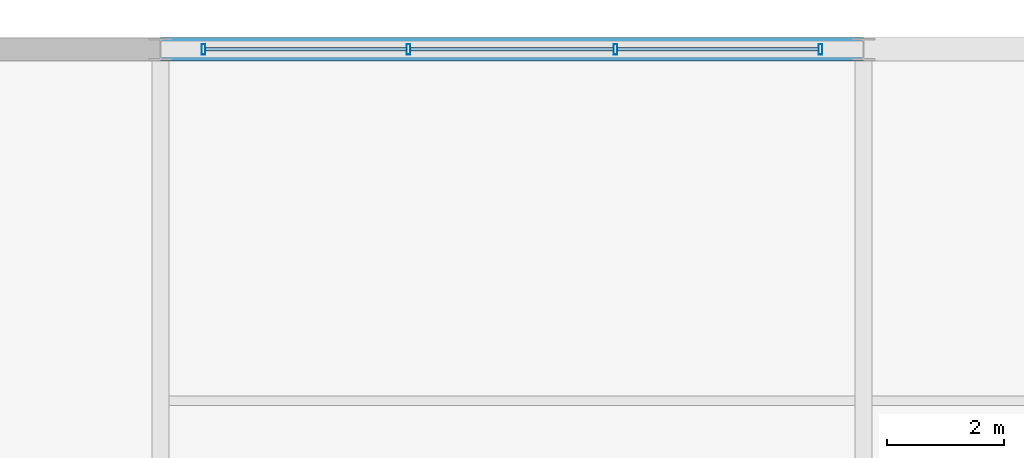
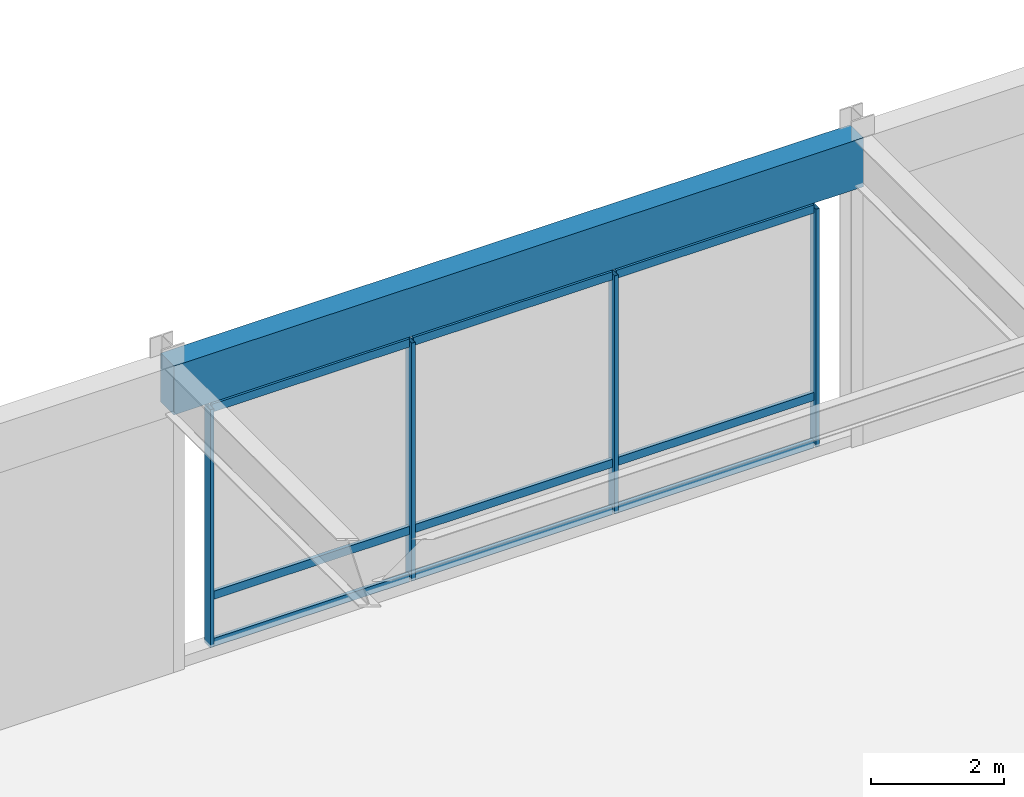
# One storey, part 45 of 108: 13 members, 1 beam, 1 element without a shape of its own.
"""IFC4 building model written with IfcOpenShell, lengths in metres."""

from ifc_helpers import new_model, si_unit, direction, frame, origin, origin_2d, place, context, subcontext, project, spatial, rectangle, hollow_rectangle, extrude, material, material_profile, profile_set, type_object, element, aggregate, save


model = new_model("IFC4")

# Units and contexts
model_context = context("Model", 3, precision=1e-05, world=origin(), true_north=direction((0.0, 1.0)))
body_context = subcontext(model_context, "Body", "Model", "MODEL_VIEW")
ifc_project = project(units=[si_unit("LENGTHUNIT", "METRE"), si_unit("AREAUNIT", "SQUARE_METRE"), si_unit("VOLUMEUNIT", "CUBIC_METRE"), si_unit("PLANEANGLEUNIT", "RADIAN"), si_unit("MASSUNIT", "GRAM", prefix="KILO")], contexts=[model_context])

# Site, building, storey
site_placement = place(None, origin())
site = spatial("IfcSite", under=ifc_project, at=site_placement, CompositionType="ELEMENT")
building_placement = place(site_placement, origin())
building = spatial("IfcBuilding", under=site, at=building_placement, Name="Kaldorvane Square Convention Centre", CompositionType="ELEMENT")
storey_placement = place(building_placement, frame((0.0, 0.0, 12.0)))
storey = spatial("IfcBuildingStorey", under=building, at=storey_placement, Name="L02", CompositionType="ELEMENT", Elevation=12.0)

# Beam
ifc_material_1 = material(Name="Concrete f'c = 42 MPa (Normalweight)", Category="concrete")
ifc_material_profile_1 = material_profile(ifc_material_1, rectangle(XDim=0.399993896484375, YDim=0.899993896484375, at=origin_2d()), Name="RCSP900X400")
ifc_profile_set_1 = profile_set([ifc_material_profile_1], Name="Concrete f'c = 42 MPa (Normalweight)")
beam_type = type_object("IfcBeamType", Name="BM-SP-RC900", PredefinedType="SPANDREL", material=ifc_profile_set_1)
beam_placement = place(storey_placement, frame((102.0, 117.0, 5.1959991455078125), z_axis=(1.0, 0.0, 0.0), x_axis=(0.0, 1.0, 0.0)))
element("IfcBeam", 1, at=beam_placement, inside=storey, type_object=beam_type, Name="Perimeter Spandrel (L02)", PredefinedType="SPANDREL", context=body_context, shape_type="SweptSolid", body=[
    extrude(rectangle(XDim=0.399993896484375, YDim=0.899993896484375, at=origin_2d()), origin(), (0.0, 0.0, 1.0), 12.0),
])

# Curtain wall, members
ifc_material_2 = material(Name="Anodized Aluminum and Low-E Insulated Glazing", Category="aluminium")
curtain_wall_type = type_object("IfcCurtainWallType", Name="CW-UNI-P60-09", PredefinedType="USERDEFINED", material=ifc_material_2)
curtain_wall_placement = place(storey_placement, origin())
curtain_wall = element("IfcCurtainWall", 2, at=curtain_wall_placement, inside=storey, type_object=curtain_wall_type, Name="Curtain Wall CW-02 (L02)", ObjectType="UNITISED GLAZING", PredefinedType="USERDEFINED")
ifc_material_profile_2 = material_profile(ifc_material_2, hollow_rectangle(XDim=0.06500244140625, YDim=0.17999267578125, WallThickness=0.0034942626953125, at=origin_2d()), Name="CWM-180X65")
ifc_profile_set_2 = profile_set([ifc_material_profile_2], Name="Anodized Aluminum and Low-E Insulated Glazing")
member_type_1 = type_object("IfcMemberType", Name="CW-MUL-180", PredefinedType="MULLION", material=ifc_profile_set_2)
member_1_placement = place(storey_placement, frame((113.26750183105469, 117.0, 0.149993896484375), z_axis=(0.0, 0.0, 1.0), x_axis=(-1.0, 0.0, 0.0)))
member_1 = element("IfcMember", 3, at=member_1_placement, type_object=member_type_1, Name="CW-02 mullion 1", PredefinedType="MULLION", context=body_context, shape_type="SweptSolid", body=[
    extrude(hollow_rectangle(XDim=0.06500244140625, YDim=0.17999267578125, WallThickness=0.0034942626953125, at=origin_2d()), origin(), (0.0, 0.0, 1.0), 4.3800048828125),
])
member_2_placement = place(storey_placement, frame((109.76666259765625, 117.0, 0.149993896484375), z_axis=(0.0, 0.0, 1.0), x_axis=(-1.0, 0.0, 0.0)))
member_2 = element("IfcMember", 4, at=member_2_placement, type_object=member_type_1, Name="CW-02 mullion 2", PredefinedType="MULLION", context=body_context, shape_type="SweptSolid", body=[
    extrude(hollow_rectangle(XDim=0.06500244140625, YDim=0.17999267578125, WallThickness=0.0034942626953125, at=origin_2d()), origin(), (0.0, 0.0, 1.0), 4.3800048828125),
])
member_3_placement = place(storey_placement, frame((106.23333740234375, 117.0, 0.149993896484375), z_axis=(0.0, 0.0, 1.0), x_axis=(-1.0, 0.0, 0.0)))
member_3 = element("IfcMember", 5, at=member_3_placement, type_object=member_type_1, Name="CW-02 mullion 3", PredefinedType="MULLION", context=body_context, shape_type="SweptSolid", body=[
    extrude(hollow_rectangle(XDim=0.06500244140625, YDim=0.17999267578125, WallThickness=0.0034942626953125, at=origin_2d()), origin(), (0.0, 0.0, 1.0), 4.3800048828125),
])
member_4_placement = place(storey_placement, frame((102.73249816894531, 117.0, 0.149993896484375), z_axis=(0.0, 0.0, 1.0), x_axis=(-1.0, 0.0, 0.0)))
member_4 = element("IfcMember", 6, at=member_4_placement, type_object=member_type_1, Name="CW-02 mullion 4", PredefinedType="MULLION", context=body_context, shape_type="SweptSolid", body=[
    extrude(hollow_rectangle(XDim=0.06500244140625, YDim=0.17999267578125, WallThickness=0.0034942626953125, at=origin_2d()), origin(), (0.0, 0.0, 1.0), 4.3800048828125),
])
ifc_material_profile_3 = material_profile(ifc_material_2, hollow_rectangle(XDim=0.05999755859375, YDim=0.149993896484375, WallThickness=0.003204345703125, at=origin_2d()), Name="CWT-150X60")
ifc_profile_set_3 = profile_set([ifc_material_profile_3], Name="Anodized Aluminum and Low-E Insulated Glazing")
member_type_2 = type_object("IfcMemberType", Name="CW-TRN-150", PredefinedType="USERDEFINED", material=ifc_profile_set_3)
member_5_placement = place(storey_placement, frame((113.23500061035156, 117.0, 0.17999267578125), z_axis=(-1.0, 0.0, 0.0), x_axis=(0.0, -1.0, 0.0)))
member_5 = element("IfcMember", 7, at=member_5_placement, type_object=member_type_2, Name="CW-02 transom 1.1", ObjectType="TRANSOM", PredefinedType="USERDEFINED", context=body_context, shape_type="SweptSolid", body=[
    extrude(hollow_rectangle(XDim=0.05999755859375, YDim=0.149993896484375, WallThickness=0.003204345703125, at=origin_2d()), origin(), (0.0, 0.0, 1.0), 3.4358367919921875),
])
member_6_placement = place(storey_placement, frame((113.23500061035156, 117.0, 1.0500030517578125), z_axis=(-1.0, 0.0, 0.0), x_axis=(0.0, -1.0, 0.0)))
member_6 = element("IfcMember", 8, at=member_6_placement, type_object=member_type_2, Name="CW-02 transom 1.2", ObjectType="TRANSOM", PredefinedType="USERDEFINED", context=body_context, shape_type="SweptSolid", body=[
    extrude(hollow_rectangle(XDim=0.05999755859375, YDim=0.149993896484375, WallThickness=0.003204345703125, at=origin_2d()), origin(), (0.0, 0.0, 1.0), 3.4358367919921875),
])
member_7_placement = place(storey_placement, frame((113.23500061035156, 117.0, 4.5), z_axis=(-1.0, 0.0, 0.0), x_axis=(0.0, -1.0, 0.0)))
member_7 = element("IfcMember", 9, at=member_7_placement, type_object=member_type_2, Name="CW-02 transom 1.3", ObjectType="TRANSOM", PredefinedType="USERDEFINED", context=body_context, shape_type="SweptSolid", body=[
    extrude(hollow_rectangle(XDim=0.05999755859375, YDim=0.149993896484375, WallThickness=0.003204345703125, at=origin_2d()), origin(), (0.0, 0.0, 1.0), 3.4358367919921875),
])
member_8_placement = place(storey_placement, frame((109.73416137695312, 117.0, 0.17999267578125), z_axis=(-1.0, 0.0, 0.0), x_axis=(0.0, -1.0, 0.0)))
member_8 = element("IfcMember", 10, at=member_8_placement, type_object=member_type_2, Name="CW-02 transom 2.1", ObjectType="TRANSOM", PredefinedType="USERDEFINED", context=body_context, shape_type="SweptSolid", body=[
    extrude(hollow_rectangle(XDim=0.05999755859375, YDim=0.149993896484375, WallThickness=0.003204345703125, at=origin_2d()), origin(), (0.0, 0.0, 1.0), 3.46832275390625),
])
member_9_placement = place(storey_placement, frame((109.73416137695312, 117.0, 1.0500030517578125), z_axis=(-1.0, 0.0, 0.0), x_axis=(0.0, -1.0, 0.0)))
member_9 = element("IfcMember", 11, at=member_9_placement, type_object=member_type_2, Name="CW-02 transom 2.2", ObjectType="TRANSOM", PredefinedType="USERDEFINED", context=body_context, shape_type="SweptSolid", body=[
    extrude(hollow_rectangle(XDim=0.05999755859375, YDim=0.149993896484375, WallThickness=0.003204345703125, at=origin_2d()), origin(), (0.0, 0.0, 1.0), 3.46832275390625),
])
member_10_placement = place(storey_placement, frame((109.73416137695312, 117.0, 4.5), z_axis=(-1.0, 0.0, 0.0), x_axis=(0.0, -1.0, 0.0)))
member_10 = element("IfcMember", 12, at=member_10_placement, type_object=member_type_2, Name="CW-02 transom 2.3", ObjectType="TRANSOM", PredefinedType="USERDEFINED", context=body_context, shape_type="SweptSolid", body=[
    extrude(hollow_rectangle(XDim=0.05999755859375, YDim=0.149993896484375, WallThickness=0.003204345703125, at=origin_2d()), origin(), (0.0, 0.0, 1.0), 3.46832275390625),
])
member_11_placement = place(storey_placement, frame((106.20083618164062, 117.0, 0.17999267578125), z_axis=(-1.0, 0.0, 0.0), x_axis=(0.0, -1.0, 0.0)))
member_11 = element("IfcMember", 13, at=member_11_placement, type_object=member_type_2, Name="CW-02 transom 3.1", ObjectType="TRANSOM", PredefinedType="USERDEFINED", context=body_context, shape_type="SweptSolid", body=[
    extrude(hollow_rectangle(XDim=0.05999755859375, YDim=0.149993896484375, WallThickness=0.003204345703125, at=origin_2d()), origin(), (0.0, 0.0, 1.0), 3.4358367919921875),
])
member_12_placement = place(storey_placement, frame((106.20083618164062, 117.0, 1.0500030517578125), z_axis=(-1.0, 0.0, 0.0), x_axis=(0.0, -1.0, 0.0)))
member_12 = element("IfcMember", 14, at=member_12_placement, type_object=member_type_2, Name="CW-02 transom 3.2", ObjectType="TRANSOM", PredefinedType="USERDEFINED", context=body_context, shape_type="SweptSolid", body=[
    extrude(hollow_rectangle(XDim=0.05999755859375, YDim=0.149993896484375, WallThickness=0.003204345703125, at=origin_2d()), origin(), (0.0, 0.0, 1.0), 3.4358367919921875),
])
member_13_placement = place(storey_placement, frame((106.20083618164062, 117.0, 4.5), z_axis=(-1.0, 0.0, 0.0), x_axis=(0.0, -1.0, 0.0)))
member_13 = element("IfcMember", 15, at=member_13_placement, type_object=member_type_2, Name="CW-02 transom 3.3", ObjectType="TRANSOM", PredefinedType="USERDEFINED", context=body_context, shape_type="SweptSolid", body=[
    extrude(hollow_rectangle(XDim=0.05999755859375, YDim=0.149993896484375, WallThickness=0.003204345703125, at=origin_2d()), origin(), (0.0, 0.0, 1.0), 3.4358367919921875),
])
aggregate(curtain_wall, [member_1, member_2, member_3, member_4, member_5, member_6, member_7, member_8, member_9, member_10, member_11, member_12, member_13])

save(model, "model.ifc")
